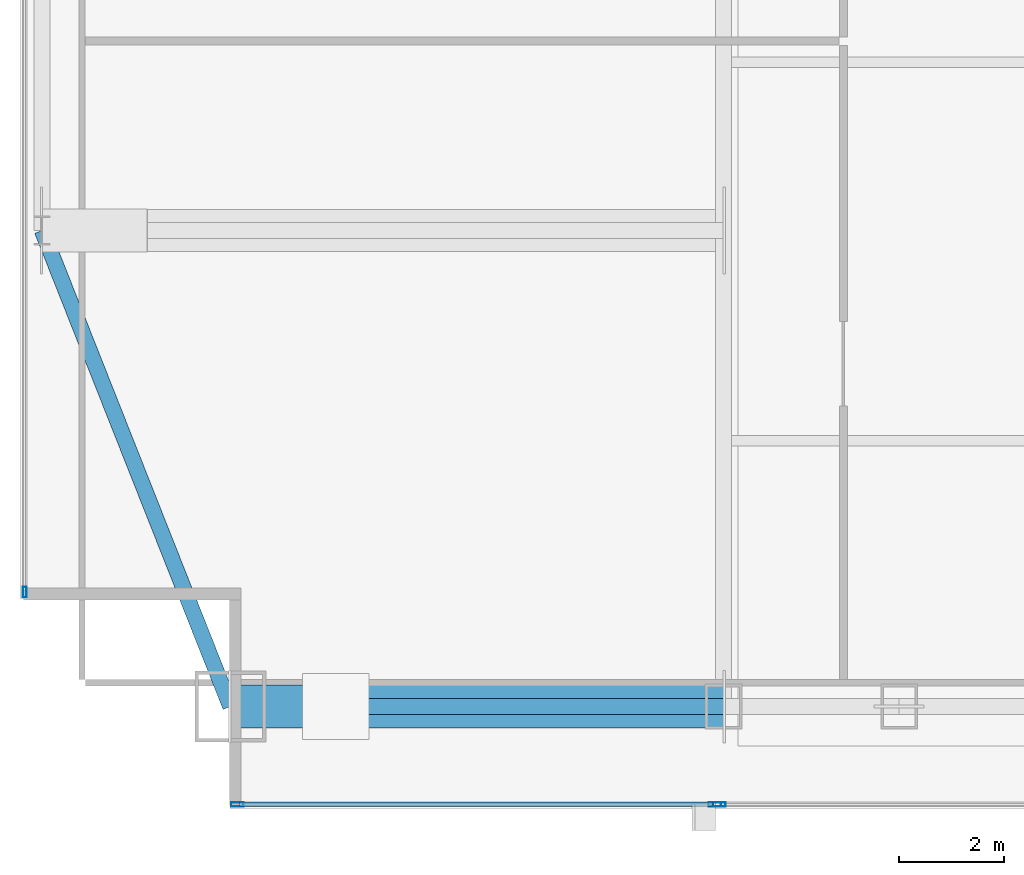
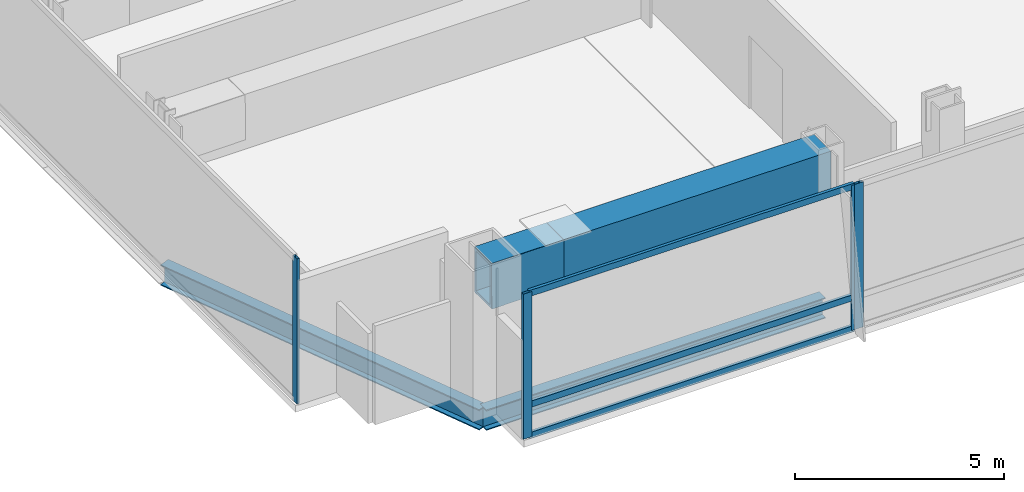
# One storey, part 5 of 25: 7 members, 4 beams, 3 elements without a shape of their own.
"""IFC4 building model written with IfcOpenShell, lengths in metres."""

from ifc_helpers import new_model, si_unit, direction, frame, origin, origin_2d, place, context, subcontext, project, spatial, hollow_rectangle, i_section, extrude, material, material_profile, profile_set, type_object, element, aggregate, save


model = new_model("IFC4")

# Units and contexts
model_context = context("Model", 3, precision=1e-05, world=origin(), true_north=direction((0.0, 1.0)))
body_context = subcontext(model_context, "Body", "Model", "MODEL_VIEW")
ifc_project = project(units=[si_unit("LENGTHUNIT", "METRE"), si_unit("AREAUNIT", "SQUARE_METRE"), si_unit("VOLUMEUNIT", "CUBIC_METRE"), si_unit("PLANEANGLEUNIT", "RADIAN"), si_unit("MASSUNIT", "GRAM", prefix="KILO")], contexts=[model_context])

# Site, building, storey
site_placement = place(None, origin())
site = spatial("IfcSite", under=ifc_project, at=site_placement, CompositionType="ELEMENT")
building_placement = place(site_placement, origin())
building = spatial("IfcBuilding", under=site, at=building_placement, Name="Khoronbel Lancet Exchange", CompositionType="ELEMENT")
storey_placement = place(building_placement, frame((0.0, 0.0, 184.199951171875)))
storey = spatial("IfcBuildingStorey", under=building, at=storey_placement, Name="L46", CompositionType="ELEMENT", Elevation=184.199951171875)

# Beams
ifc_material_1 = material(Name="Steel S355", Category="steel")
ifc_material_profile_1 = material_profile(ifc_material_1, i_section(OverallWidth=0.300048828125, OverallDepth=0.60009765625, WebThickness=0.015380859375, FlangeThickness=0.030029296875, at=origin_2d()), Name="HEB 600")
ifc_profile_set_1 = profile_set([ifc_material_profile_1], Name="Steel S355")
beam_type_1 = type_object("IfcBeamType", Name="BM-BSP2", PredefinedType="SPANDREL", material=ifc_profile_set_1)
beam_1_placement = place(storey_placement, frame((8.85009765625, 10.14990234375, -0.5), z_axis=(1.0, 0.0, 0.0), x_axis=(0.0, 1.0, 0.0)))
element("IfcBeam", 1, at=beam_1_placement, inside=storey, type_object=beam_type_1, Name="Level L46 perimeter spandrel beam SP01", PredefinedType="SPANDREL", context=body_context, shape_type="SweptSolid", body=[
    extrude(i_section(OverallWidth=0.300048828125, OverallDepth=0.60009765625, WebThickness=0.015380859375, FlangeThickness=0.030029296875, at=origin_2d()), origin(), (0.0, 0.0, 1.0), 9.375),
])
beam_2_placement = place(storey_placement, frame((5.27001953125, 19.199951171875, -0.5), z_axis=(0.367850095026, -0.92988510451, 0.0), x_axis=(0.92988510451, 0.367850095026, 0.0)))
element("IfcBeam", 2, at=beam_2_placement, inside=storey, type_object=beam_type_1, Name="Level L46 perimeter spandrel beam SP21", PredefinedType="SPANDREL", context=body_context, shape_type="SweptSolid", body=[
    extrude(i_section(OverallWidth=0.300048828125, OverallDepth=0.60009765625, WebThickness=0.015380859375, FlangeThickness=0.030029296875, at=origin_2d()), origin(), (0.0, 0.0, 1.0), 9.732421875),
])
ifc_material_2 = material(Name="Steel S460", Category="steel")
ifc_material_profile_2 = material_profile(ifc_material_2, hollow_rectangle(XDim=0.820068359375, YDim=1.320068359375, WallThickness=0.070068359375, at=origin_2d()), Name="BOX 820x1320x70")
ifc_profile_set_2 = profile_set([ifc_material_profile_2], Name="Steel S460")
beam_type_2 = type_object("IfcBeamType", Name="BM-TG4", PredefinedType="USERDEFINED", material=ifc_profile_set_2)
beam_3_placement = place(storey_placement, frame((8.85009765625, 10.14990234375, 3.56005859375), z_axis=(0.99994990606, 0.0, 0.010009264196), x_axis=(0.0, 1.0, 0.0)))
element("IfcBeam", 3, at=beam_3_placement, inside=storey, type_object=beam_type_2, Name="Setback transfer knee-brace girder L46-MC-SW", ObjectType="TRANSFER GIRDER", PredefinedType="USERDEFINED", context=body_context, shape_type="SweptSolid", body=[
    extrude(hollow_rectangle(XDim=0.820068359375, YDim=1.320068359375, WallThickness=0.070068359375, at=origin_2d()), origin(), (0.0, 0.0, 1.0), 2.0),
])
beam_4_placement = place(storey_placement, frame((8.85009765625, 10.14990234375, 3.580078125), z_axis=(1.0, 0.0, 0.0), x_axis=(0.0, 1.0, 0.0)))
element("IfcBeam", 4, at=beam_4_placement, inside=storey, type_object=beam_type_2, Name="Corner mega-column setback transfer girder L46-SW", ObjectType="TRANSFER GIRDER", PredefinedType="USERDEFINED", context=body_context, shape_type="SweptSolid", body=[
    extrude(hollow_rectangle(XDim=0.820068359375, YDim=1.320068359375, WallThickness=0.070068359375, at=origin_2d()), origin(), (0.0, 0.0, 1.0), 9.375),
])

# Curtain wall, members
ifc_material_3 = material(Name="Low-E Solar Control Insulating Glass", Category="glass")
curtain_wall_type_1 = type_object("IfcCurtainWallType", Name="CW-3", PredefinedType="NOTDEFINED", material=ifc_material_3)
curtain_wall_1_placement = place(storey_placement, origin())
curtain_wall_1 = element("IfcCurtainWall", 5, at=curtain_wall_1_placement, inside=storey, type_object=curtain_wall_type_1, Name="Unitised curtain wall CW-L46-SWV", PredefinedType="NOTDEFINED")
ifc_material_4 = material(Name="Bronze-Anodised Aluminium 6063-T6", Category="aluminium")
ifc_material_profile_3 = material_profile(ifc_material_4, hollow_rectangle(XDim=0.0849609375, YDim=0.239990234375, WallThickness=0.006103515625, at=origin_2d()), Name="ALU MULLION 85x240")
ifc_profile_set_3 = profile_set([ifc_material_profile_3], Name="Bronze-Anodised Aluminium 6063-T6")
member_type_1 = type_object("IfcMemberType", Name="MEM-CWM1", PredefinedType="MULLION", material=ifc_profile_set_3)
member_1_placement = place(storey_placement, frame((8.982421875, 8.2900390625, 0.0), z_axis=(0.0, 0.0, 1.0), x_axis=(0.0, 1.0, 0.0)))
member_1 = element("IfcMember", 6, at=member_1_placement, type_object=member_type_1, Name="CW3 mullion 1", PredefinedType="MULLION", context=body_context, shape_type="SweptSolid", body=[
    extrude(hollow_rectangle(XDim=0.0849609375, YDim=0.239990234375, WallThickness=0.006103515625, at=origin_2d()), origin(), (0.0, 0.0, 1.0), 4.239990234375),
])
member_2_placement = place(storey_placement, frame((18.0576171875, 8.2900390625, 0.0), z_axis=(0.0, 0.0, 1.0), x_axis=(0.0, 1.0, 0.0)))
member_2 = element("IfcMember", 7, at=member_2_placement, type_object=member_type_1, Name="CW3 mullion 2", PredefinedType="MULLION", context=body_context, shape_type="SweptSolid", body=[
    extrude(hollow_rectangle(XDim=0.0849609375, YDim=0.239990234375, WallThickness=0.006103515625, at=origin_2d()), origin(), (0.0, 0.0, 1.0), 4.239990234375),
])

# Curtain wall, member
curtain_wall_2_placement = place(storey_placement, origin())
curtain_wall_2 = element("IfcCurtainWall", 8, at=curtain_wall_2_placement, inside=storey, type_object=curtain_wall_type_1, Name="Unitised curtain wall CW-L46-SWB", PredefinedType="NOTDEFINED")
member_3_placement = place(storey_placement, frame((18.142578125, 8.2900390625, 0.0), z_axis=(0.0, 0.0, 1.0), x_axis=(0.0, 1.0, 0.0)))
member_3 = element("IfcMember", 9, at=member_3_placement, type_object=member_type_1, Name="CW3 mullion 1", PredefinedType="MULLION", context=body_context, shape_type="SweptSolid", body=[
    extrude(hollow_rectangle(XDim=0.0849609375, YDim=0.239990234375, WallThickness=0.006103515625, at=origin_2d()), origin(), (0.0, 0.0, 1.0), 4.239990234375),
])
aggregate(curtain_wall_2, [member_3])

curtain_wall_type_2 = type_object("IfcCurtainWallType", Name="CW-4", PredefinedType="NOTDEFINED", material=ifc_material_3)
curtain_wall_3_placement = place(storey_placement, origin())
curtain_wall_3 = element("IfcCurtainWall", 10, at=curtain_wall_3_placement, inside=storey, type_object=curtain_wall_type_2, Name="Unitised curtain wall CW-L46-E03", PredefinedType="NOTDEFINED")
ifc_material_profile_4 = material_profile(ifc_material_4, hollow_rectangle(XDim=0.074951171875, YDim=0.199951171875, WallThickness=0.0048828125, at=origin_2d()), Name="ALU MULLION 75x200")
ifc_profile_set_4 = profile_set([ifc_material_profile_4], Name="Bronze-Anodised Aluminium 6063-T6")
member_type_2 = type_object("IfcMemberType", Name="MEM-CWM2", PredefinedType="MULLION", material=ifc_profile_set_4)
member_4_placement = place(storey_placement, frame((4.93994140625, 12.327392578125, 0.0), z_axis=(0.0, 0.0, 1.0), x_axis=(-1.0, 0.0, 0.0)))
member_4 = element("IfcMember", 11, at=member_4_placement, type_object=member_type_2, Name="CW4 mullion 1", PredefinedType="MULLION", context=body_context, shape_type="SweptSolid", body=[
    extrude(hollow_rectangle(XDim=0.074951171875, YDim=0.199951171875, WallThickness=0.0048828125, at=origin_2d()), origin(), (0.0, 0.0, 1.0), 4.239990234375),
])
aggregate(curtain_wall_3, [member_4])

# Member
ifc_material_profile_5 = material_profile(ifc_material_4, hollow_rectangle(XDim=0.0849609375, YDim=0.179931640625, WallThickness=0.0048828125, at=origin_2d()), Name="ALU TRANSOM 85x180")
ifc_profile_set_5 = profile_set([ifc_material_profile_5], Name="Bronze-Anodised Aluminium 6063-T6")
member_type_3 = type_object("IfcMemberType", Name="MEM-CWT1", PredefinedType="USERDEFINED", material=ifc_profile_set_5)
member_5_placement = place(storey_placement, frame((9.02490234375, 8.2900390625, 0.04248046875), z_axis=(1.0, 0.0, 0.0), x_axis=(0.0, 1.0, 0.0)))
member_5 = element("IfcMember", 12, at=member_5_placement, type_object=member_type_3, Name="CW3 transom 1.1", ObjectType="TRANSOM", PredefinedType="USERDEFINED", context=body_context, shape_type="SweptSolid", body=[
    extrude(hollow_rectangle(XDim=0.0849609375, YDim=0.179931640625, WallThickness=0.0048828125, at=origin_2d()), origin(), (0.0, 0.0, 1.0), 8.989990234375),
])

member_6_placement = place(storey_placement, frame((9.02490234375, 8.2900390625, 0.949951171875), z_axis=(1.0, 0.0, 0.0), x_axis=(0.0, 1.0, 0.0)))
member_6 = element("IfcMember", 13, at=member_6_placement, type_object=member_type_3, Name="CW3 transom 1.2", ObjectType="TRANSOM", PredefinedType="USERDEFINED", context=body_context, shape_type="SweptSolid", body=[
    extrude(hollow_rectangle(XDim=0.0849609375, YDim=0.179931640625, WallThickness=0.0048828125, at=origin_2d()), origin(), (0.0, 0.0, 1.0), 8.989990234375),
])

member_7_placement = place(storey_placement, frame((9.02490234375, 8.2900390625, 4.197509765625), z_axis=(1.0, 0.0, 0.0), x_axis=(0.0, 1.0, 0.0)))
member_7 = element("IfcMember", 14, at=member_7_placement, type_object=member_type_3, Name="CW3 transom 1.3", ObjectType="TRANSOM", PredefinedType="USERDEFINED", context=body_context, shape_type="SweptSolid", body=[
    extrude(hollow_rectangle(XDim=0.0849609375, YDim=0.179931640625, WallThickness=0.0048828125, at=origin_2d()), origin(), (0.0, 0.0, 1.0), 8.989990234375),
])

aggregate(curtain_wall_1, [member_1, member_2, member_5, member_6, member_7])

save(model, "model.ifc")
